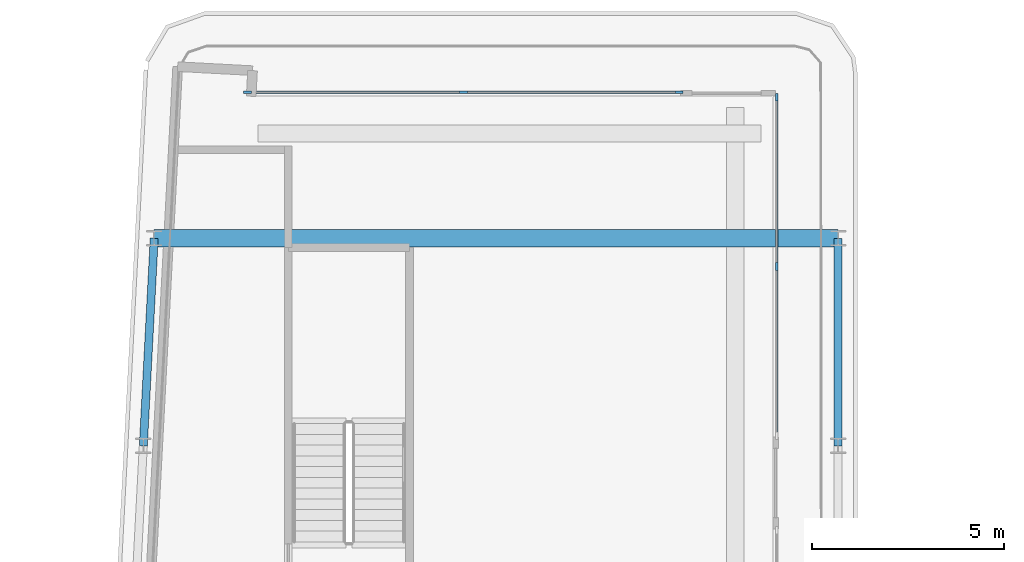
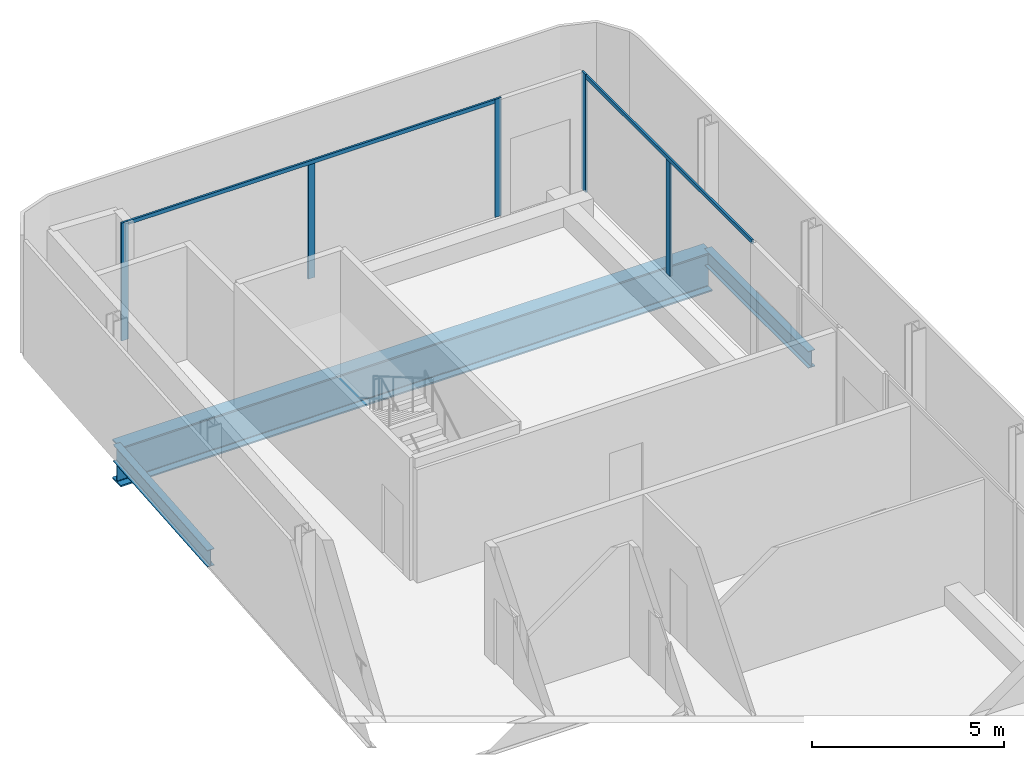
# One storey, part 7 of 21: 7 members, 3 beams, 2 elements without a shape of their own.
"""IFC4 building model written with IfcOpenShell, lengths in metres."""

from ifc_helpers import new_model, si_unit, direction, frame, origin, origin_2d, place, context, subcontext, project, spatial, rectangle, i_section, extrude, material, layer, layer_set, material_profile, profile_set, type_object, element, aggregate, save


model = new_model("IFC4")

# Units and contexts
model_context = context("Model", 3, precision=1e-05, world=origin(), true_north=direction((0.0, 1.0)))
body_context = subcontext(model_context, "Body", "Model", "MODEL_VIEW")
ifc_project = project(units=[si_unit("LENGTHUNIT", "METRE"), si_unit("AREAUNIT", "SQUARE_METRE"), si_unit("VOLUMEUNIT", "CUBIC_METRE"), si_unit("PLANEANGLEUNIT", "RADIAN"), si_unit("MASSUNIT", "GRAM", prefix="KILO")], contexts=[model_context])

# Site, building, storey
site_placement = place(None, origin())
site = spatial("IfcSite", under=ifc_project, at=site_placement, CompositionType="ELEMENT")
building_placement = place(site_placement, origin())
building = spatial("IfcBuilding", under=site, at=building_placement, Name="Kheshtan School and Residences Tower", CompositionType="ELEMENT")
storey_placement = place(building_placement, frame((0.0, 0.0, 231.800048828125)))
storey = spatial("IfcBuildingStorey", under=building, at=storey_placement, Name="L54", CompositionType="ELEMENT", Elevation=231.800048828125)

# Beams
ifc_material_1 = material(Name="Steel ASTM A992 Grade 50", Category="steel")
ifc_material_profile_1 = material_profile(ifc_material_1, i_section(OverallWidth=0.208984375, OverallDepth=0.532958984375, WebThickness=0.01025390625, FlangeThickness=0.015625, FilletRadius=0.013916015625, at=origin_2d()), Name="W530x92")
ifc_profile_set_1 = profile_set([ifc_material_profile_1], Name="Steel ASTM A992 Grade 50")
beam_type_1 = type_object("IfcBeamType", Name="Beam SP3 W530x92 ASTM A992 Grade 50", PredefinedType="BEAM", material=ifc_profile_set_1)
beam_1_placement = place(storey_placement, frame((47.60009765625, 88.800048828125, -0.41650390625), z_axis=(0.0, -1.0, 0.0), x_axis=(1.0, 0.0, 0.0)))
element("IfcBeam", 1, at=beam_1_placement, inside=storey, type_object=beam_type_1, Name="Spandrel beam C099-C091", PredefinedType="BEAM", context=body_context, shape_type="SweptSolid", body=[
    extrude(i_section(OverallWidth=0.208984375, OverallDepth=0.532958984375, WebThickness=0.01025390625, FlangeThickness=0.015625, FilletRadius=0.013916015625, at=origin_2d()), origin(), (0.0, 0.0, 1.0), 5.400146484375),
])
beam_2_placement = place(storey_placement, frame((29.527099609375, 83.39990234375, -0.41650390625), z_axis=(0.05250670125, 0.998620571751, 0.0), x_axis=(-0.998620571751, 0.05250670125, 0.0)))
element("IfcBeam", 2, at=beam_2_placement, inside=storey, type_object=beam_type_1, Name="Spandrel beam C090-C098", PredefinedType="BEAM", context=body_context, shape_type="SweptSolid", body=[
    extrude(i_section(OverallWidth=0.208984375, OverallDepth=0.532958984375, WebThickness=0.01025390625, FlangeThickness=0.015625, FilletRadius=0.013916015625, at=origin_2d()), origin(), (0.0, 0.0, 1.0), 5.40771484375),
])

# Curtain wall, members
ifc_material_2 = material(Name="Clear low-e glass in thermally broken aluminium frame", Category="aluminium")
ifc_layer = layer(ifc_material_2, 0.199951171875)
ifc_layer_set = layer_set([ifc_layer], Name="Curtain wall CW-L")
curtain_wall_type = type_object("IfcCurtainWallType", Name="Curtain wall CW-L", PredefinedType="NOTDEFINED", material=ifc_layer_set)
curtain_wall_1_placement = place(storey_placement, origin())
curtain_wall_1 = element("IfcCurtainWall", 3, at=curtain_wall_1_placement, inside=storey, type_object=curtain_wall_type, Name="Curtain wall CWL3a", PredefinedType="NOTDEFINED")
ifc_material_3 = material(Name="Thermally broken aluminium, dark bronze anodised", Category="aluminium")
ifc_material_profile_2 = material_profile(ifc_material_3, rectangle(XDim=0.06005859375, YDim=0.199951171875, at=origin_2d()), Name="CW-L mullion 60x200")
ifc_profile_set_2 = profile_set([ifc_material_profile_2], Name="Thermally broken aluminium, dark bronze anodised")
member_type_1 = type_object("IfcMemberType", Name="CW-L mullion 60x200", PredefinedType="MULLION", material=ifc_profile_set_2)
member_1_placement = place(storey_placement, frame((32.238037109375, 92.60009765625, 0.0), z_axis=(0.0, 0.0, 1.0), x_axis=(0.0, 1.0, 0.0)))
member_1 = element("IfcMember", 4, at=member_1_placement, type_object=member_type_1, Name="CWL3a mullion 1", PredefinedType="MULLION", context=body_context, shape_type="SweptSolid", body=[
    extrude(rectangle(XDim=0.06005859375, YDim=0.199951171875, at=origin_2d()), origin(), (0.0, 0.0, 1.0), 3.75),
])
member_2_placement = place(storey_placement, frame((37.85400390625, 92.60009765625, 0.0), z_axis=(0.0, 0.0, 1.0), x_axis=(0.0, 1.0, 0.0)))
member_2 = element("IfcMember", 5, at=member_2_placement, type_object=member_type_1, Name="CWL3a mullion 2", PredefinedType="MULLION", context=body_context, shape_type="SweptSolid", body=[
    extrude(rectangle(XDim=0.06005859375, YDim=0.199951171875, at=origin_2d()), origin(), (0.0, 0.0, 1.0), 3.6298828125),
])
member_3_placement = place(storey_placement, frame((43.469970703125, 92.60009765625, 0.0), z_axis=(0.0, 0.0, 1.0), x_axis=(0.0, 1.0, 0.0)))
member_3 = element("IfcMember", 6, at=member_3_placement, type_object=member_type_1, Name="CWL3a mullion 3", PredefinedType="MULLION", context=body_context, shape_type="SweptSolid", body=[
    extrude(rectangle(XDim=0.06005859375, YDim=0.199951171875, at=origin_2d()), origin(), (0.0, 0.0, 1.0), 3.75),
])

curtain_wall_2_placement = place(storey_placement, origin())
curtain_wall_2 = element("IfcCurtainWall", 7, at=curtain_wall_2_placement, inside=storey, type_object=curtain_wall_type, Name="Curtain wall CWL4b", PredefinedType="NOTDEFINED")
member_4_placement = place(storey_placement, frame((46.0, 92.469970703125, 0.0), z_axis=(0.0, 0.0, 1.0), x_axis=(1.0, 0.0, 0.0)))
member_4 = element("IfcMember", 8, at=member_4_placement, type_object=member_type_1, Name="CWL4b mullion 1", PredefinedType="MULLION", context=body_context, shape_type="SweptSolid", body=[
    extrude(rectangle(XDim=0.06005859375, YDim=0.199951171875, at=origin_2d()), origin(), (0.0, 0.0, 1.0), 3.75),
])
member_5_placement = place(storey_placement, frame((46.0, 88.066162109375, 0.0), z_axis=(0.0, 0.0, 1.0), x_axis=(1.0, 0.0, 0.0)))
member_5 = element("IfcMember", 9, at=member_5_placement, type_object=member_type_1, Name="CWL4b mullion 2", PredefinedType="MULLION", context=body_context, shape_type="SweptSolid", body=[
    extrude(rectangle(XDim=0.06005859375, YDim=0.199951171875, at=origin_2d()), origin(), (0.0, 0.0, 1.0), 3.6298828125),
])

# Member
ifc_material_profile_3 = material_profile(ifc_material_3, rectangle(XDim=0.06005859375, YDim=0.1201171875, at=origin_2d()), Name="CW-L transom 60x120")
ifc_profile_set_3 = profile_set([ifc_material_profile_3], Name="Thermally broken aluminium, dark bronze anodised")
member_type_2 = type_object("IfcMemberType", Name="CW-L transom 60x120", PredefinedType="USERDEFINED", material=ifc_profile_set_3)
member_6_placement = place(storey_placement, frame((32.26806640625, 92.60009765625, 3.68994140625), z_axis=(1.0, 0.0, 0.0), x_axis=(0.0, 1.0, 0.0)))
member_6 = element("IfcMember", 10, at=member_6_placement, type_object=member_type_2, Name="CWL3a transom 1", ObjectType="TRANSOM", PredefinedType="USERDEFINED", context=body_context, shape_type="SweptSolid", body=[
    extrude(rectangle(XDim=0.06005859375, YDim=0.1201171875, at=origin_2d()), origin(), (0.0, 0.0, 1.0), 11.171875),
])

aggregate(curtain_wall_1, [member_1, member_2, member_3, member_6])

member_7_placement = place(storey_placement, frame((46.0, 92.43994140625, 3.68994140625), z_axis=(0.0, -1.0, 0.0), x_axis=(1.0, 0.0, 0.0)))
member_7 = element("IfcMember", 11, at=member_7_placement, type_object=member_type_2, Name="CWL4b transom 1", ObjectType="TRANSOM", PredefinedType="USERDEFINED", context=body_context, shape_type="SweptSolid", body=[
    extrude(rectangle(XDim=0.06005859375, YDim=0.1201171875, at=origin_2d()), origin(), (0.0, 0.0, 1.0), 8.74755859375),
])

aggregate(curtain_wall_2, [member_4, member_5, member_7])

# Beam
ifc_material_profile_4 = material_profile(ifc_material_1, i_section(OverallWidth=0.449951171875, OverallDepth=1.25, WebThickness=0.02490234375, FlangeThickness=0.044921875, FilletRadius=0.03759765625, at=origin_2d()), Name="WWF1250x546")
ifc_profile_set_4 = profile_set([ifc_material_profile_4], Name="Steel ASTM A992 Grade 50")
beam_type_2 = type_object("IfcBeamType", Name="Transfer girder TG4 WWF1250x546 ASTM A992 Grade 50", PredefinedType="BEAM", material=ifc_profile_set_4)
beam_3_placement = place(storey_placement, frame((29.81103515625, 88.800048828125, -0.775146484375), z_axis=(1.0, 0.0, 0.0), x_axis=(0.0, 1.0, 0.0)))
element("IfcBeam", 12, at=beam_3_placement, inside=storey, type_object=beam_type_2, Name="Transfer girder C098-C099", PredefinedType="BEAM", context=body_context, shape_type="SweptSolid", body=[
    extrude(i_section(OverallWidth=0.449951171875, OverallDepth=1.25, WebThickness=0.02490234375, FlangeThickness=0.044921875, FilletRadius=0.03759765625, at=origin_2d()), origin(), (0.0, 0.0, 1.0), 17.7890625),
])

save(model, "model.ifc")
